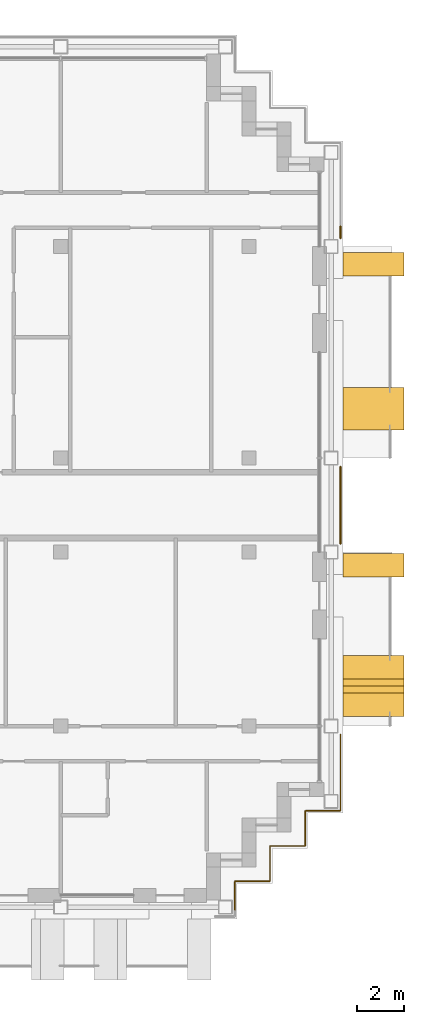
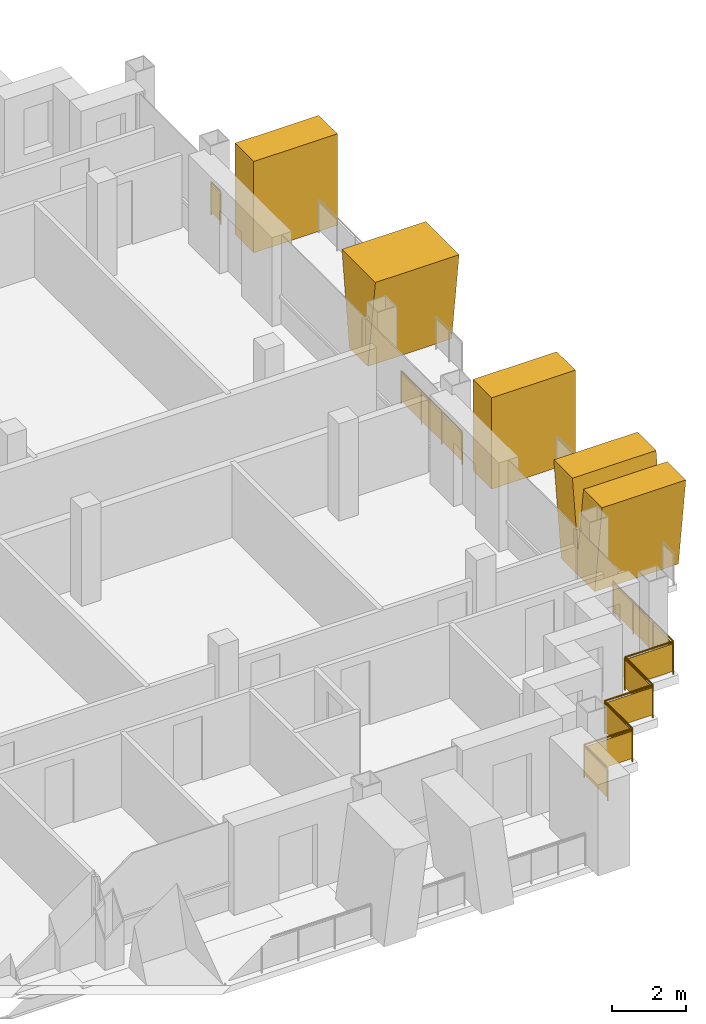
# One storey, part 14 of 16: 4 shading devices, 3 railings.
"""IFC4 building model written with IfcOpenShell, lengths in metres."""

from ifc_helpers import new_model, si_unit, direction, frame, origin, origin_2d, place, context, subcontext, project, spatial, polyline, rectangle, circle, outline, extrude, material, layer, layer_set, type_object, element, save


model = new_model("IFC4")

# Units and contexts
model_context = context("Model", 3, precision=1e-05, world=origin(), true_north=direction((0.0, 1.0)))
body_context = subcontext(model_context, "Body", "Model", "MODEL_VIEW")
ifc_project = project(units=[si_unit("LENGTHUNIT", "METRE"), si_unit("AREAUNIT", "SQUARE_METRE"), si_unit("VOLUMEUNIT", "CUBIC_METRE"), si_unit("PLANEANGLEUNIT", "RADIAN"), si_unit("MASSUNIT", "GRAM", prefix="KILO")], contexts=[model_context])

# Site, building, storey
site_placement = place(None, origin())
site = spatial("IfcSite", under=ifc_project, at=site_placement, CompositionType="ELEMENT")
building_placement = place(site_placement, origin())
building = spatial("IfcBuilding", under=site, at=building_placement, Name="Vidyagriha Tower", CompositionType="ELEMENT")
storey_placement = place(building_placement, frame((0.0, 0.0, 220.39990234375)))
storey = spatial("IfcBuildingStorey", under=building, at=storey_placement, Name="L57", CompositionType="ELEMENT", Elevation=220.39990234375)

# Shading devices
ifc_material_1 = material(Name="Precast concrete C40/50 with buff brick facing", Category="concrete")
ifc_layer_1 = layer(ifc_material_1, 1.0)
ifc_layer_set_1 = layer_set([ifc_layer_1], Name="Precast concrete C40/50 with buff brick facing")
shading_device_type_1 = type_object("IfcShadingDeviceType", Name="Brick-faced blade fin forking 8 degrees", PredefinedType="USERDEFINED", material=ifc_layer_set_1)
shading_device_1_placement = place(storey_placement, frame((31.300048828125, -9.0, 0.0), z_axis=(0.0, 0.0, 1.0), x_axis=(0.0, 1.0, 0.0)))
element("IfcShadingDevice", 1, at=shading_device_1_placement, inside=storey, type_object=shading_device_type_1, Name="Forked blade fin L57 R30.240a", ObjectType="BLADE FIN", PredefinedType="USERDEFINED", context=body_context, shape_type="SweptSolid", body=[
    extrude(outline(polyline([(0.39990234375, 0.0), (2.199951171875, 0.0), (2.60009765625, 3.0), (1.60009765625, 3.0), (1.300048828125, 0.75), (1.0, 3.0), (0.0, 3.0), (0.39990234375, 0.0)])), frame((0.0, 1.300048828125, 0.0), z_axis=(0.0, -1.0, 0.0), x_axis=(1.0, 0.0, 0.0)), (0.0, 0.0, 1.0), 2.60009765625),
])
shading_device_2_placement = place(storey_placement, frame((31.300048828125, 3.199951171875, 0.0), z_axis=(0.0, 0.0, 1.0), x_axis=(0.0, 1.0, 0.0)))
element("IfcShadingDevice", 2, at=shading_device_2_placement, inside=storey, type_object=shading_device_type_1, Name="Forked blade fin L57 R30.1380a", ObjectType="BLADE FIN", PredefinedType="USERDEFINED", context=body_context, shape_type="SweptSolid", body=[
    extrude(outline(polyline([(0.39990234375, 0.0), (1.39990234375, 0.0), (1.800048828125, 3.0), (0.0, 3.0), (0.39990234375, 0.0)])), frame((0.0, 1.300048828125, 0.0), z_axis=(0.0, -1.0, 0.0), x_axis=(1.0, 0.0, 0.0)), (0.0, 0.0, 1.0), 2.60009765625),
])
ifc_material_2 = material(Name="Precast concrete C40/50 with buff brick facing", Category="concrete")
ifc_layer_2 = layer(ifc_material_2, 1.0)
ifc_layer_set_2 = layer_set([ifc_layer_2], Name="Precast concrete C40/50 with buff brick facing")
shading_device_type_2 = type_object("IfcShadingDeviceType", Name="Brick-faced blade fin stem 1000", PredefinedType="USERDEFINED", material=ifc_layer_set_2)
for number, where, z_axis, x_axis, name in (
    (3, (31.300048828125, -3.050048828125, 0.0), (0.0, 0.0, 1.0), (0.0, 1.0, 0.0), "Stem blade fin L57 R30.980a"),
    (4, (31.300048828125, 9.75, 0.0), (0.0, 0.0, 1.0), (0.0, 1.0, 0.0), "Stem blade fin L57 R30.2280a"),
):
    element("IfcShadingDevice", number, at=place(storey_placement, frame(where, z_axis=z_axis, x_axis=x_axis)), inside=storey, type_object=shading_device_type_2, Name=name, ObjectType="BLADE FIN", PredefinedType="USERDEFINED", context=body_context, shape_type="SweptSolid", body=[
        extrude(outline(polyline([(0.0, 0.0), (1.0, 0.0), (1.0, 3.0), (0.0, 3.0), (0.0, 0.0)])), frame((0.0, 1.300048828125, 0.0), z_axis=(0.0, -1.0, 0.0), x_axis=(1.0, 0.0, 0.0)), (0.0, 0.0, 1.0), 2.60009765625),
    ])

# Railings
ifc_material_3 = material(Name="Steel ASTM A500 Grade C black painted", Category="steel")
railing_type = type_object("IfcRailingType", Name="Gallery guard 1100", PredefinedType="GUARDRAIL", material=ifc_material_3)
railing_1_placement = place(storey_placement, frame((29.89990234375, 11.8701171875, 0.0)))
element("IfcRailing", 5, at=railing_1_placement, inside=storey, type_object=railing_type, Name="Gallery guard L57 9", PredefinedType="GUARDRAIL", context=body_context, shape_type="SweptSolid", body=[
    extrude(circle(Radius=0.02490234375, at=origin_2d()), frame((0.0, 0.0, 1.0751953125), z_axis=(0.0, -1.0, 0.0), x_axis=(1.0, 0.0, 0.0)), (0.0, 0.0, 1.0), 0.510009765625),
    extrude(circle(Radius=0.02001953125, at=origin_2d()), origin(), (0.0, 0.0, 1.0), 1.050048828125),
    extrude(circle(Radius=0.02001953125, at=origin_2d()), frame((0.0, -0.510009765625, 0.0)), (0.0, 0.0, 1.0), 1.050048828125),
    extrude(rectangle(XDim=0.010009765625, YDim=0.900146484375, at=origin_2d()), frame((0.0, 0.0, 0.550048828125), z_axis=(0.0, -1.0, 0.0), x_axis=(1.0, 0.0, 0.0)), (0.0, 0.0, 1.0), 0.510009765625),
])
railing_2_placement = place(storey_placement, frame((29.89990234375, -9.760009765625, 0.0)))
element("IfcRailing", 6, at=railing_2_placement, inside=storey, type_object=railing_type, Name="Gallery guard L57 10", PredefinedType="GUARDRAIL", context=body_context, shape_type="SweptSolid", body=[
    extrude(circle(Radius=0.02490234375, at=origin_2d()), frame((0.0, 0.0, 1.0751953125), z_axis=(0.0, -1.0, 0.0), x_axis=(1.0, 0.0, 0.0)), (0.0, 0.0, 1.0), 3.239990234375),
    extrude(circle(Radius=0.02490234375, at=origin_2d()), frame((0.0, -3.239990234375, 1.0751953125), z_axis=(-1.0, 0.0, 0.0), x_axis=(0.0, -1.0, 0.0)), (0.0, 0.0, 1.0), 1.5),
    extrude(circle(Radius=0.02490234375, at=origin_2d()), frame((-1.5, -3.239990234375, 1.0751953125), z_axis=(0.0, -1.0, 0.0), x_axis=(1.0, 0.0, 0.0)), (0.0, 0.0, 1.0), 1.5),
    extrude(circle(Radius=0.02490234375, at=origin_2d()), frame((-1.5, -4.739990234375, 1.0751953125), z_axis=(-1.0, 0.0, 0.0), x_axis=(0.0, -1.0, 0.0)), (0.0, 0.0, 1.0), 1.5),
    extrude(circle(Radius=0.02490234375, at=origin_2d()), frame((-3.0, -4.739990234375, 1.0751953125), z_axis=(0.0, -1.0, 0.0), x_axis=(1.0, 0.0, 0.0)), (0.0, 0.0, 1.0), 1.5),
    extrude(circle(Radius=0.02490234375, at=origin_2d()), frame((-3.0, -6.239990234375, 1.0751953125), z_axis=(-1.0, 0.0, 0.0), x_axis=(0.0, -1.0, 0.0)), (0.0, 0.0, 1.0), 1.5),
    extrude(circle(Radius=0.02490234375, at=origin_2d()), frame((-4.5, -6.239990234375, 1.0751953125), z_axis=(0.0, -1.0, 0.0), x_axis=(1.0, 0.0, 0.0)), (0.0, 0.0, 1.0), 1.260009765625),
    extrude(circle(Radius=0.02001953125, at=origin_2d()), origin(), (0.0, 0.0, 1.0), 1.050048828125),
    extrude(circle(Radius=0.02001953125, at=origin_2d()), frame((0.0, -1.080078125, 0.0)), (0.0, 0.0, 1.0), 1.050048828125),
    extrude(circle(Radius=0.02001953125, at=origin_2d()), frame((0.0, -2.159912109375, 0.0)), (0.0, 0.0, 1.0), 1.050048828125),
    extrude(circle(Radius=0.02001953125, at=origin_2d()), frame((0.0, -3.239990234375, 0.0)), (0.0, 0.0, 1.0), 1.050048828125),
    extrude(circle(Radius=0.02001953125, at=origin_2d()), frame((-1.5, -3.239990234375, 0.0)), (0.0, 0.0, 1.0), 1.050048828125),
    extrude(circle(Radius=0.02001953125, at=origin_2d()), frame((-1.5, -4.739990234375, 0.0)), (0.0, 0.0, 1.0), 1.050048828125),
    extrude(circle(Radius=0.02001953125, at=origin_2d()), frame((-3.0, -4.739990234375, 0.0)), (0.0, 0.0, 1.0), 1.050048828125),
    extrude(circle(Radius=0.02001953125, at=origin_2d()), frame((-3.0, -6.239990234375, 0.0)), (0.0, 0.0, 1.0), 1.050048828125),
    extrude(circle(Radius=0.02001953125, at=origin_2d()), frame((-4.5, -6.239990234375, 0.0)), (0.0, 0.0, 1.0), 1.050048828125),
    extrude(circle(Radius=0.02001953125, at=origin_2d()), frame((-4.5, -7.5, 0.0)), (0.0, 0.0, 1.0), 1.050048828125),
    extrude(rectangle(XDim=0.010009765625, YDim=0.900146484375, at=origin_2d()), frame((0.0, 0.0, 0.550048828125), z_axis=(0.0, -1.0, 0.0), x_axis=(1.0, 0.0, 0.0)), (0.0, 0.0, 1.0), 3.239990234375),
    extrude(rectangle(XDim=0.010009765625, YDim=0.900146484375, at=origin_2d()), frame((0.0, -3.239990234375, 0.550048828125), z_axis=(-1.0, 0.0, 0.0), x_axis=(0.0, -1.0, 0.0)), (0.0, 0.0, 1.0), 1.5),
    extrude(rectangle(XDim=0.010009765625, YDim=0.900146484375, at=origin_2d()), frame((-1.5, -3.239990234375, 0.550048828125), z_axis=(0.0, -1.0, 0.0), x_axis=(1.0, 0.0, 0.0)), (0.0, 0.0, 1.0), 1.5),
    extrude(rectangle(XDim=0.010009765625, YDim=0.900146484375, at=origin_2d()), frame((-1.5, -4.739990234375, 0.550048828125), z_axis=(-1.0, 0.0, 0.0), x_axis=(0.0, -1.0, 0.0)), (0.0, 0.0, 1.0), 1.5),
    extrude(rectangle(XDim=0.010009765625, YDim=0.900146484375, at=origin_2d()), frame((-3.0, -4.739990234375, 0.550048828125), z_axis=(0.0, -1.0, 0.0), x_axis=(1.0, 0.0, 0.0)), (0.0, 0.0, 1.0), 1.5),
    extrude(rectangle(XDim=0.010009765625, YDim=0.900146484375, at=origin_2d()), frame((-3.0, -6.239990234375, 0.550048828125), z_axis=(-1.0, 0.0, 0.0), x_axis=(0.0, -1.0, 0.0)), (0.0, 0.0, 1.0), 1.5),
    extrude(rectangle(XDim=0.010009765625, YDim=0.900146484375, at=origin_2d()), frame((-4.5, -6.239990234375, 0.550048828125), z_axis=(0.0, -1.0, 0.0), x_axis=(1.0, 0.0, 0.0)), (0.0, 0.0, 1.0), 1.260009765625),
])
railing_3_placement = place(storey_placement, frame((29.89990234375, 1.639892578125, 0.0)))
element("IfcRailing", 7, at=railing_3_placement, inside=storey, type_object=railing_type, Name="Gallery guard L57 12", PredefinedType="GUARDRAIL", context=body_context, shape_type="SweptSolid", body=[
    extrude(circle(Radius=0.02490234375, at=origin_2d()), frame((0.0, 0.0, 1.0751953125), z_axis=(0.0, -1.0, 0.0), x_axis=(1.0, 0.0, 0.0)), (0.0, 0.0, 1.0), 3.27978515625),
    extrude(circle(Radius=0.02001953125, at=origin_2d()), origin(), (0.0, 0.0, 1.0), 1.050048828125),
    extrude(circle(Radius=0.02001953125, at=origin_2d()), frame((0.0, -1.09326171875, 0.0)), (0.0, 0.0, 1.0), 1.050048828125),
    extrude(circle(Radius=0.02001953125, at=origin_2d()), frame((0.0, -2.1865234375, 0.0)), (0.0, 0.0, 1.0), 1.050048828125),
    extrude(circle(Radius=0.02001953125, at=origin_2d()), frame((0.0, -3.27978515625, 0.0)), (0.0, 0.0, 1.0), 1.050048828125),
    extrude(rectangle(XDim=0.010009765625, YDim=0.900146484375, at=origin_2d()), frame((0.0, 0.0, 0.550048828125), z_axis=(0.0, -1.0, 0.0), x_axis=(1.0, 0.0, 0.0)), (0.0, 0.0, 1.0), 3.27978515625),
])

save(model, "model.ifc")
